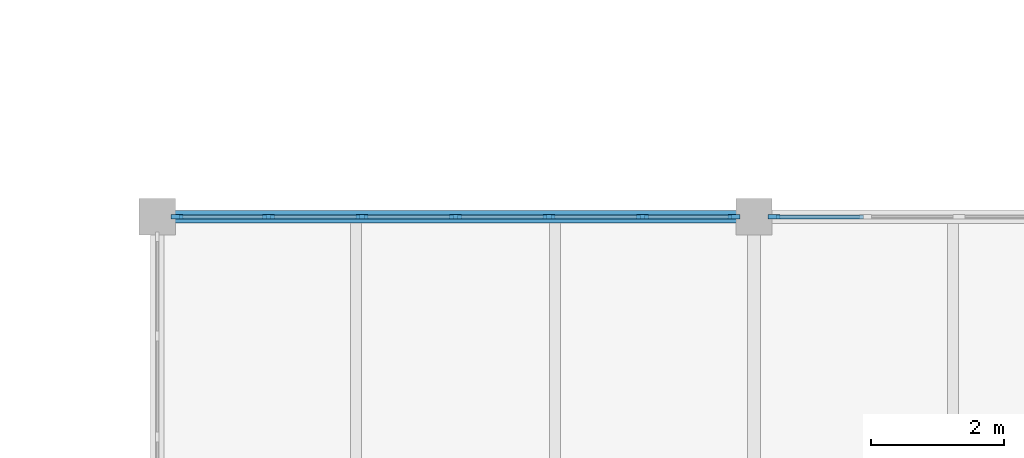
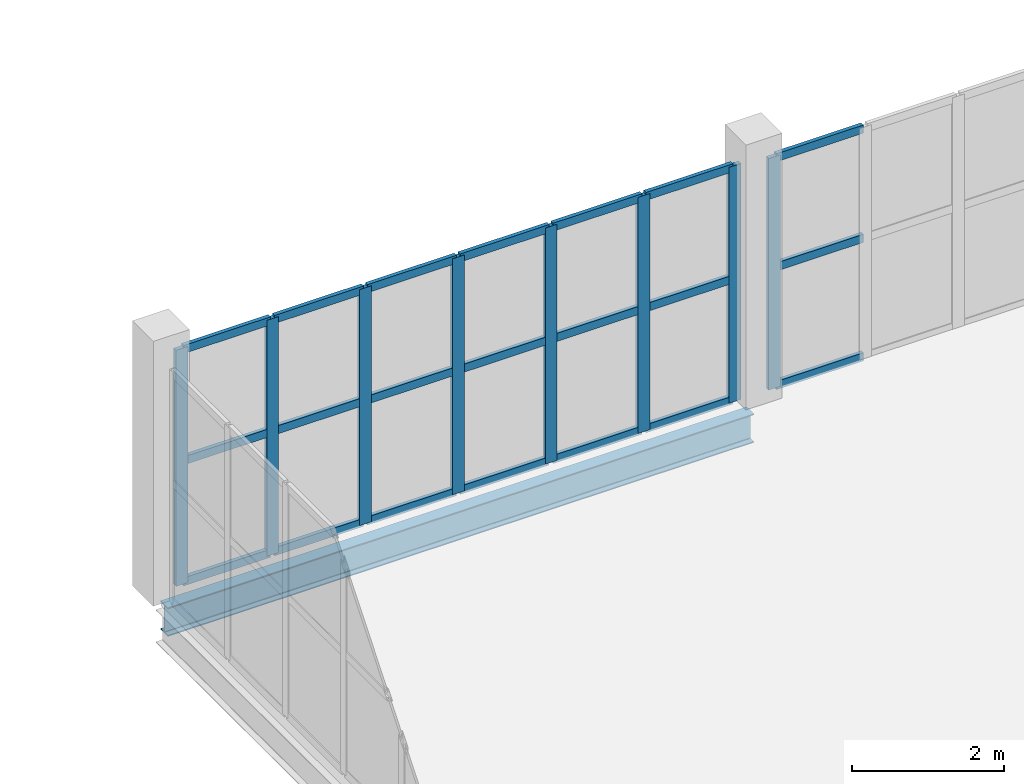
# One storey, part 21 of 54: 29 members, 1 beam, 2 elements without a shape of their own.
"""IFC4 building model written with IfcOpenShell, lengths in metres."""

from ifc_helpers import new_model, si_unit, direction, frame, origin, origin_2d, place, context, subcontext, project, spatial, rectangle, i_section, extrude, material, layer, layer_set, material_profile, profile_set, type_object, element, aggregate, save


model = new_model("IFC4")

# Units and contexts
model_context = context("Model", 3, precision=1e-05, world=origin(), true_north=direction((0.0, 1.0)))
body_context = subcontext(model_context, "Body", "Model", "MODEL_VIEW")
ifc_project = project(units=[si_unit("LENGTHUNIT", "METRE"), si_unit("AREAUNIT", "SQUARE_METRE"), si_unit("VOLUMEUNIT", "CUBIC_METRE"), si_unit("PLANEANGLEUNIT", "RADIAN"), si_unit("MASSUNIT", "GRAM", prefix="KILO")], contexts=[model_context])

# Site, building, storey
site_placement = place(None, origin())
site = spatial("IfcSite", under=ifc_project, at=site_placement, CompositionType="ELEMENT")
building_placement = place(site_placement, origin())
building = spatial("IfcBuilding", under=site, at=building_placement, Name="Marnock Terrace Opera House", CompositionType="ELEMENT")
storey_placement = place(building_placement, frame((0.0, 0.0, 19.199951171875)))
storey = spatial("IfcBuildingStorey", under=building, at=storey_placement, Name="L04", CompositionType="ELEMENT", Elevation=19.199951171875)

# Beam
ifc_material_1 = material(Name="Steel Grade 350 (AS/NZS 3679.1)", Category="steel")
ifc_material_profile_1 = material_profile(ifc_material_1, i_section(OverallWidth=0.19091796875, OverallDepth=0.46044921875, WebThickness=0.010009765625, FlangeThickness=0.01611328125, FilletRadius=0.011474609375, at=origin_2d()))
ifc_profile_set_1 = profile_set([ifc_material_profile_1], Name="Steel Grade 350 (AS/NZS 3679.1)")
beam_type = type_object("IfcBeamType", Name="BM-GIRD-460A", PredefinedType="BEAM", material=ifc_profile_set_1)
beam_placement = place(storey_placement, frame((118.050048828125, 40.0, -0.480224609375), z_axis=(1.0, 0.0, 0.0), x_axis=(0.0, 1.0, 0.0)))
element("IfcBeam", 1, at=beam_placement, inside=storey, type_object=beam_type, Name="L04 girder (118.0..127.0, Y=40.0)", PredefinedType="BEAM", context=body_context, shape_type="SweptSolid", body=[
    extrude(i_section(OverallWidth=0.19091796875, OverallDepth=0.46044921875, WebThickness=0.010009765625, FlangeThickness=0.01611328125, FilletRadius=0.011474609375, at=origin_2d()), origin(), (0.0, 0.0, 1.0), 8.89990234375),
])

# Curtain wall, members
ifc_material_2 = material(Name="Anodised architectural bronze aluminium framing", Category="aluminium")
ifc_layer = layer(ifc_material_2, 0.159912109375)
ifc_layer_set = layer_set([ifc_layer], Name="Anodised architectural bronze aluminium framing")
curtain_wall_type = type_object("IfcCurtainWallType", Name="CW-DRUM-71x39", PredefinedType="NOTDEFINED", material=ifc_layer_set)
curtain_wall_1_placement = place(storey_placement, origin())
curtain_wall_1 = element("IfcCurtainWall", 2, at=curtain_wall_1_placement, inside=storey, type_object=curtain_wall_type, Name="L04 glazed Beaux-Arts colonnade curtain wall CW-L04-V5CS1", PredefinedType="NOTDEFINED")
ifc_material_profile_2 = material_profile(ifc_material_2, rectangle(XDim=0.06494140625, YDim=0.179931640625, at=origin_2d()))
ifc_profile_set_2 = profile_set([ifc_material_profile_2], Name="Anodised architectural bronze aluminium framing")
member_type_1 = type_object("IfcMemberType", Name="CWM-65x180", PredefinedType="MULLION", material=ifc_profile_set_2)
member_1_placement = place(storey_placement, frame((118.301025390625, 40.0, 0.0), z_axis=(0.0, 0.0, 1.0), x_axis=(0.0, 1.0, 0.0)))
member_1 = element("IfcMember", 3, at=member_1_placement, type_object=member_type_1, Name="CW-76 mullion 1", PredefinedType="MULLION", context=body_context, shape_type="SweptSolid", body=[
    extrude(rectangle(XDim=0.06494140625, YDim=0.179931640625, at=origin_2d()), origin(), (0.0, 0.0, 1.0), 3.78955078125),
])
member_2_placement = place(storey_placement, frame((119.6806640625, 40.0, 0.0), z_axis=(0.0, 0.0, 1.0), x_axis=(0.0, 1.0, 0.0)))
member_2 = element("IfcMember", 4, at=member_2_placement, type_object=member_type_1, Name="CW-76 mullion 2", PredefinedType="MULLION", context=body_context, shape_type="SweptSolid", body=[
    extrude(rectangle(XDim=0.06494140625, YDim=0.179931640625, at=origin_2d()), origin(), (0.0, 0.0, 1.0), 3.78955078125),
])
member_3_placement = place(storey_placement, frame((121.09033203125, 40.0, 0.0), z_axis=(0.0, 0.0, 1.0), x_axis=(0.0, 1.0, 0.0)))
member_3 = element("IfcMember", 5, at=member_3_placement, type_object=member_type_1, Name="CW-76 mullion 3", PredefinedType="MULLION", context=body_context, shape_type="SweptSolid", body=[
    extrude(rectangle(XDim=0.06494140625, YDim=0.179931640625, at=origin_2d()), origin(), (0.0, 0.0, 1.0), 3.78955078125),
])
member_4_placement = place(storey_placement, frame((122.5, 40.0, 0.0), z_axis=(0.0, 0.0, 1.0), x_axis=(0.0, 1.0, 0.0)))
member_4 = element("IfcMember", 6, at=member_4_placement, type_object=member_type_1, Name="CW-76 mullion 4", PredefinedType="MULLION", context=body_context, shape_type="SweptSolid", body=[
    extrude(rectangle(XDim=0.06494140625, YDim=0.179931640625, at=origin_2d()), origin(), (0.0, 0.0, 1.0), 3.78955078125),
])
member_5_placement = place(storey_placement, frame((123.90966796875, 40.0, 0.0), z_axis=(0.0, 0.0, 1.0), x_axis=(0.0, 1.0, 0.0)))
member_5 = element("IfcMember", 7, at=member_5_placement, type_object=member_type_1, Name="CW-76 mullion 5", PredefinedType="MULLION", context=body_context, shape_type="SweptSolid", body=[
    extrude(rectangle(XDim=0.06494140625, YDim=0.179931640625, at=origin_2d()), origin(), (0.0, 0.0, 1.0), 3.78955078125),
])
member_6_placement = place(storey_placement, frame((125.3193359375, 40.0, 0.0), z_axis=(0.0, 0.0, 1.0), x_axis=(0.0, 1.0, 0.0)))
member_6 = element("IfcMember", 8, at=member_6_placement, type_object=member_type_1, Name="CW-76 mullion 6", PredefinedType="MULLION", context=body_context, shape_type="SweptSolid", body=[
    extrude(rectangle(XDim=0.06494140625, YDim=0.179931640625, at=origin_2d()), origin(), (0.0, 0.0, 1.0), 3.78955078125),
])
member_7_placement = place(storey_placement, frame((126.698974609375, 40.0, 0.0), z_axis=(0.0, 0.0, 1.0), x_axis=(0.0, 1.0, 0.0)))
member_7 = element("IfcMember", 9, at=member_7_placement, type_object=member_type_1, Name="CW-76 mullion 7", PredefinedType="MULLION", context=body_context, shape_type="SweptSolid", body=[
    extrude(rectangle(XDim=0.06494140625, YDim=0.179931640625, at=origin_2d()), origin(), (0.0, 0.0, 1.0), 3.78955078125),
])

# Curtain wall, member
curtain_wall_2_placement = place(storey_placement, origin())
curtain_wall_2 = element("IfcCurtainWall", 10, at=curtain_wall_2_placement, inside=storey, type_object=curtain_wall_type, Name="L04 glazed Beaux-Arts colonnade curtain wall CW-L04-V5CS2", PredefinedType="NOTDEFINED")
member_8_placement = place(storey_placement, frame((127.301025390625, 40.0, 0.0), z_axis=(0.0, 0.0, 1.0), x_axis=(0.0, 1.0, 0.0)))
member_8 = element("IfcMember", 11, at=member_8_placement, type_object=member_type_1, Name="CW-76 mullion 1", PredefinedType="MULLION", context=body_context, shape_type="SweptSolid", body=[
    extrude(rectangle(XDim=0.06494140625, YDim=0.179931640625, at=origin_2d()), origin(), (0.0, 0.0, 1.0), 3.717041015625),
])

# Member
ifc_material_profile_3 = material_profile(ifc_material_2, rectangle(XDim=0.06005859375, YDim=0.1298828125, at=origin_2d()))
ifc_profile_set_3 = profile_set([ifc_material_profile_3], Name="Anodised architectural bronze aluminium framing")
member_type_2 = type_object("IfcMemberType", Name="CWT-60x130", PredefinedType="USERDEFINED", material=ifc_profile_set_3)
member_9_placement = place(storey_placement, frame((118.3310546875, 40.0, 0.030029296875), z_axis=(1.0, 0.0, 0.0), x_axis=(0.0, 1.0, 0.0)))
member_9 = element("IfcMember", 12, at=member_9_placement, type_object=member_type_2, Name="CW-76 transom 1.1", ObjectType="TRANSOM", PredefinedType="USERDEFINED", context=body_context, shape_type="SweptSolid", body=[
    extrude(rectangle(XDim=0.06005859375, YDim=0.1298828125, at=origin_2d()), origin(), (0.0, 0.0, 1.0), 1.319580078125),
])

member_10_placement = place(storey_placement, frame((118.3310546875, 40.0, 1.970703125), z_axis=(1.0, 0.0, 0.0), x_axis=(0.0, 1.0, 0.0)))
member_10 = element("IfcMember", 13, at=member_10_placement, type_object=member_type_2, Name="CW-76 transom 1.2", ObjectType="TRANSOM", PredefinedType="USERDEFINED", context=body_context, shape_type="SweptSolid", body=[
    extrude(rectangle(XDim=0.06005859375, YDim=0.1298828125, at=origin_2d()), origin(), (0.0, 0.0, 1.0), 1.319580078125),
])

member_11_placement = place(storey_placement, frame((118.3310546875, 40.0, 3.759765625), z_axis=(1.0, 0.0, 0.0), x_axis=(0.0, 1.0, 0.0)))
member_11 = element("IfcMember", 14, at=member_11_placement, type_object=member_type_2, Name="CW-76 transom 1.3", ObjectType="TRANSOM", PredefinedType="USERDEFINED", context=body_context, shape_type="SweptSolid", body=[
    extrude(rectangle(XDim=0.06005859375, YDim=0.1298828125, at=origin_2d()), origin(), (0.0, 0.0, 1.0), 1.319580078125),
])

member_12_placement = place(storey_placement, frame((119.710693359375, 40.0, 0.030029296875), z_axis=(1.0, 0.0, 0.0), x_axis=(0.0, 1.0, 0.0)))
member_12 = element("IfcMember", 15, at=member_12_placement, type_object=member_type_2, Name="CW-76 transom 2.1", ObjectType="TRANSOM", PredefinedType="USERDEFINED", context=body_context, shape_type="SweptSolid", body=[
    extrude(rectangle(XDim=0.06005859375, YDim=0.1298828125, at=origin_2d()), origin(), (0.0, 0.0, 1.0), 1.349609375),
])

member_13_placement = place(storey_placement, frame((119.710693359375, 40.0, 1.970703125), z_axis=(1.0, 0.0, 0.0), x_axis=(0.0, 1.0, 0.0)))
member_13 = element("IfcMember", 16, at=member_13_placement, type_object=member_type_2, Name="CW-76 transom 2.2", ObjectType="TRANSOM", PredefinedType="USERDEFINED", context=body_context, shape_type="SweptSolid", body=[
    extrude(rectangle(XDim=0.06005859375, YDim=0.1298828125, at=origin_2d()), origin(), (0.0, 0.0, 1.0), 1.349609375),
])

member_14_placement = place(storey_placement, frame((119.710693359375, 40.0, 3.759765625), z_axis=(1.0, 0.0, 0.0), x_axis=(0.0, 1.0, 0.0)))
member_14 = element("IfcMember", 17, at=member_14_placement, type_object=member_type_2, Name="CW-76 transom 2.3", ObjectType="TRANSOM", PredefinedType="USERDEFINED", context=body_context, shape_type="SweptSolid", body=[
    extrude(rectangle(XDim=0.06005859375, YDim=0.1298828125, at=origin_2d()), origin(), (0.0, 0.0, 1.0), 1.349609375),
])

member_15_placement = place(storey_placement, frame((121.120361328125, 40.0, 0.030029296875), z_axis=(1.0, 0.0, 0.0), x_axis=(0.0, 1.0, 0.0)))
member_15 = element("IfcMember", 18, at=member_15_placement, type_object=member_type_2, Name="CW-76 transom 3.1", ObjectType="TRANSOM", PredefinedType="USERDEFINED", context=body_context, shape_type="SweptSolid", body=[
    extrude(rectangle(XDim=0.06005859375, YDim=0.1298828125, at=origin_2d()), origin(), (0.0, 0.0, 1.0), 1.349609375),
])

member_16_placement = place(storey_placement, frame((121.120361328125, 40.0, 1.970703125), z_axis=(1.0, 0.0, 0.0), x_axis=(0.0, 1.0, 0.0)))
member_16 = element("IfcMember", 19, at=member_16_placement, type_object=member_type_2, Name="CW-76 transom 3.2", ObjectType="TRANSOM", PredefinedType="USERDEFINED", context=body_context, shape_type="SweptSolid", body=[
    extrude(rectangle(XDim=0.06005859375, YDim=0.1298828125, at=origin_2d()), origin(), (0.0, 0.0, 1.0), 1.349609375),
])

member_17_placement = place(storey_placement, frame((121.120361328125, 40.0, 3.759765625), z_axis=(1.0, 0.0, 0.0), x_axis=(0.0, 1.0, 0.0)))
member_17 = element("IfcMember", 20, at=member_17_placement, type_object=member_type_2, Name="CW-76 transom 3.3", ObjectType="TRANSOM", PredefinedType="USERDEFINED", context=body_context, shape_type="SweptSolid", body=[
    extrude(rectangle(XDim=0.06005859375, YDim=0.1298828125, at=origin_2d()), origin(), (0.0, 0.0, 1.0), 1.349609375),
])

member_18_placement = place(storey_placement, frame((122.530029296875, 40.0, 0.030029296875), z_axis=(1.0, 0.0, 0.0), x_axis=(0.0, 1.0, 0.0)))
member_18 = element("IfcMember", 21, at=member_18_placement, type_object=member_type_2, Name="CW-76 transom 4.1", ObjectType="TRANSOM", PredefinedType="USERDEFINED", context=body_context, shape_type="SweptSolid", body=[
    extrude(rectangle(XDim=0.06005859375, YDim=0.1298828125, at=origin_2d()), origin(), (0.0, 0.0, 1.0), 1.349609375),
])

member_19_placement = place(storey_placement, frame((122.530029296875, 40.0, 1.970703125), z_axis=(1.0, 0.0, 0.0), x_axis=(0.0, 1.0, 0.0)))
member_19 = element("IfcMember", 22, at=member_19_placement, type_object=member_type_2, Name="CW-76 transom 4.2", ObjectType="TRANSOM", PredefinedType="USERDEFINED", context=body_context, shape_type="SweptSolid", body=[
    extrude(rectangle(XDim=0.06005859375, YDim=0.1298828125, at=origin_2d()), origin(), (0.0, 0.0, 1.0), 1.349609375),
])

member_20_placement = place(storey_placement, frame((122.530029296875, 40.0, 3.759765625), z_axis=(1.0, 0.0, 0.0), x_axis=(0.0, 1.0, 0.0)))
member_20 = element("IfcMember", 23, at=member_20_placement, type_object=member_type_2, Name="CW-76 transom 4.3", ObjectType="TRANSOM", PredefinedType="USERDEFINED", context=body_context, shape_type="SweptSolid", body=[
    extrude(rectangle(XDim=0.06005859375, YDim=0.1298828125, at=origin_2d()), origin(), (0.0, 0.0, 1.0), 1.349609375),
])

member_21_placement = place(storey_placement, frame((123.939697265625, 40.0, 0.030029296875), z_axis=(1.0, 0.0, 0.0), x_axis=(0.0, 1.0, 0.0)))
member_21 = element("IfcMember", 24, at=member_21_placement, type_object=member_type_2, Name="CW-76 transom 5.1", ObjectType="TRANSOM", PredefinedType="USERDEFINED", context=body_context, shape_type="SweptSolid", body=[
    extrude(rectangle(XDim=0.06005859375, YDim=0.1298828125, at=origin_2d()), origin(), (0.0, 0.0, 1.0), 1.349609375),
])

member_22_placement = place(storey_placement, frame((123.939697265625, 40.0, 1.970703125), z_axis=(1.0, 0.0, 0.0), x_axis=(0.0, 1.0, 0.0)))
member_22 = element("IfcMember", 25, at=member_22_placement, type_object=member_type_2, Name="CW-76 transom 5.2", ObjectType="TRANSOM", PredefinedType="USERDEFINED", context=body_context, shape_type="SweptSolid", body=[
    extrude(rectangle(XDim=0.06005859375, YDim=0.1298828125, at=origin_2d()), origin(), (0.0, 0.0, 1.0), 1.349609375),
])

member_23_placement = place(storey_placement, frame((123.939697265625, 40.0, 3.759765625), z_axis=(1.0, 0.0, 0.0), x_axis=(0.0, 1.0, 0.0)))
member_23 = element("IfcMember", 26, at=member_23_placement, type_object=member_type_2, Name="CW-76 transom 5.3", ObjectType="TRANSOM", PredefinedType="USERDEFINED", context=body_context, shape_type="SweptSolid", body=[
    extrude(rectangle(XDim=0.06005859375, YDim=0.1298828125, at=origin_2d()), origin(), (0.0, 0.0, 1.0), 1.349609375),
])

member_24_placement = place(storey_placement, frame((125.349365234375, 40.0, 0.030029296875), z_axis=(1.0, 0.0, 0.0), x_axis=(0.0, 1.0, 0.0)))
member_24 = element("IfcMember", 27, at=member_24_placement, type_object=member_type_2, Name="CW-76 transom 6.1", ObjectType="TRANSOM", PredefinedType="USERDEFINED", context=body_context, shape_type="SweptSolid", body=[
    extrude(rectangle(XDim=0.06005859375, YDim=0.1298828125, at=origin_2d()), origin(), (0.0, 0.0, 1.0), 1.319580078125),
])

member_25_placement = place(storey_placement, frame((125.349365234375, 40.0, 1.970703125), z_axis=(1.0, 0.0, 0.0), x_axis=(0.0, 1.0, 0.0)))
member_25 = element("IfcMember", 28, at=member_25_placement, type_object=member_type_2, Name="CW-76 transom 6.2", ObjectType="TRANSOM", PredefinedType="USERDEFINED", context=body_context, shape_type="SweptSolid", body=[
    extrude(rectangle(XDim=0.06005859375, YDim=0.1298828125, at=origin_2d()), origin(), (0.0, 0.0, 1.0), 1.319580078125),
])

member_26_placement = place(storey_placement, frame((125.349365234375, 40.0, 3.759765625), z_axis=(1.0, 0.0, 0.0), x_axis=(0.0, 1.0, 0.0)))
member_26 = element("IfcMember", 29, at=member_26_placement, type_object=member_type_2, Name="CW-76 transom 6.3", ObjectType="TRANSOM", PredefinedType="USERDEFINED", context=body_context, shape_type="SweptSolid", body=[
    extrude(rectangle(XDim=0.06005859375, YDim=0.1298828125, at=origin_2d()), origin(), (0.0, 0.0, 1.0), 1.319580078125),
])

aggregate(curtain_wall_1, [member_1, member_2, member_3, member_4, member_5, member_6, member_7, member_9, member_10, member_11, member_12, member_13, member_14, member_15, member_16, member_17, member_18, member_19, member_20, member_21, member_22, member_23, member_24, member_25, member_26])

member_27_placement = place(storey_placement, frame((127.3310546875, 40.0, 0.030029296875), z_axis=(1.0, 0.0, 0.0), x_axis=(0.0, 1.0, 0.0)))
member_27 = element("IfcMember", 30, at=member_27_placement, type_object=member_type_2, Name="CW-76 transom 1.1", ObjectType="TRANSOM", PredefinedType="USERDEFINED", context=body_context, shape_type="SweptSolid", body=[
    extrude(rectangle(XDim=0.06005859375, YDim=0.1298828125, at=origin_2d()), origin(), (0.0, 0.0, 1.0), 1.319580078125),
])

member_28_placement = place(storey_placement, frame((127.3310546875, 40.0, 1.932861328125), z_axis=(1.0, 0.0, 0.0), x_axis=(0.0, 1.0, 0.0)))
member_28 = element("IfcMember", 31, at=member_28_placement, type_object=member_type_2, Name="CW-76 transom 1.2", ObjectType="TRANSOM", PredefinedType="USERDEFINED", context=body_context, shape_type="SweptSolid", body=[
    extrude(rectangle(XDim=0.06005859375, YDim=0.1298828125, at=origin_2d()), origin(), (0.0, 0.0, 1.0), 1.319580078125),
])

member_29_placement = place(storey_placement, frame((127.3310546875, 40.0, 3.68701171875), z_axis=(1.0, 0.0, 0.0), x_axis=(0.0, 1.0, 0.0)))
member_29 = element("IfcMember", 32, at=member_29_placement, type_object=member_type_2, Name="CW-76 transom 1.3", ObjectType="TRANSOM", PredefinedType="USERDEFINED", context=body_context, shape_type="SweptSolid", body=[
    extrude(rectangle(XDim=0.06005859375, YDim=0.1298828125, at=origin_2d()), origin(), (0.0, 0.0, 1.0), 1.319580078125),
])

aggregate(curtain_wall_2, [member_8, member_27, member_28, member_29])

save(model, "model.ifc")
